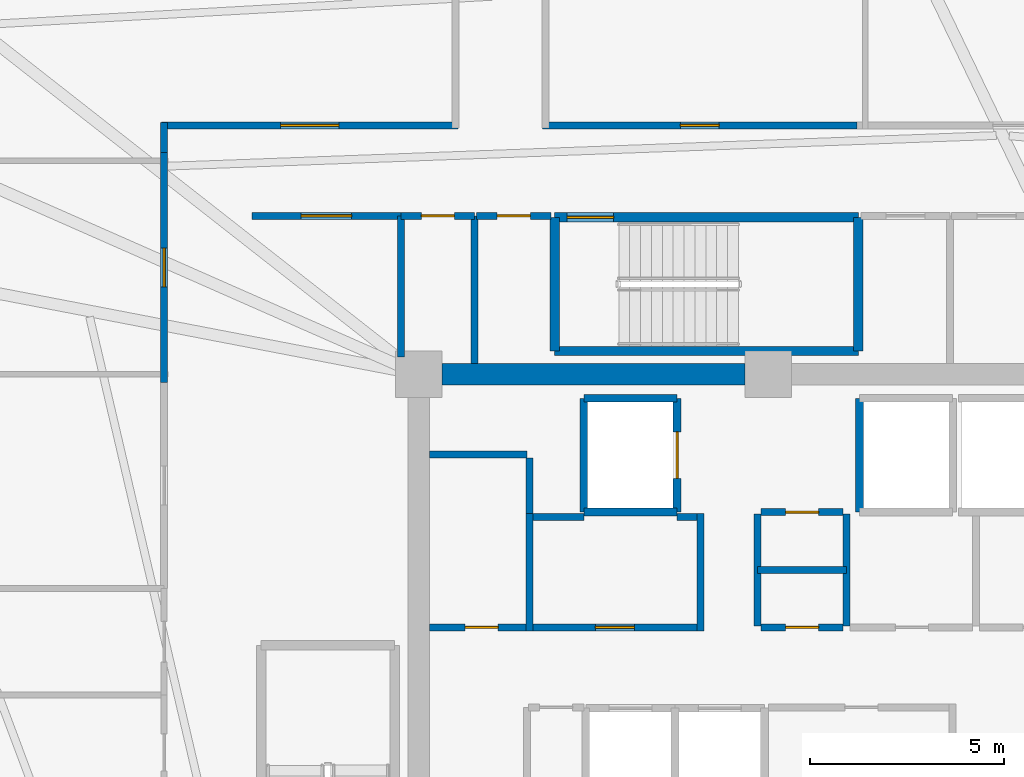
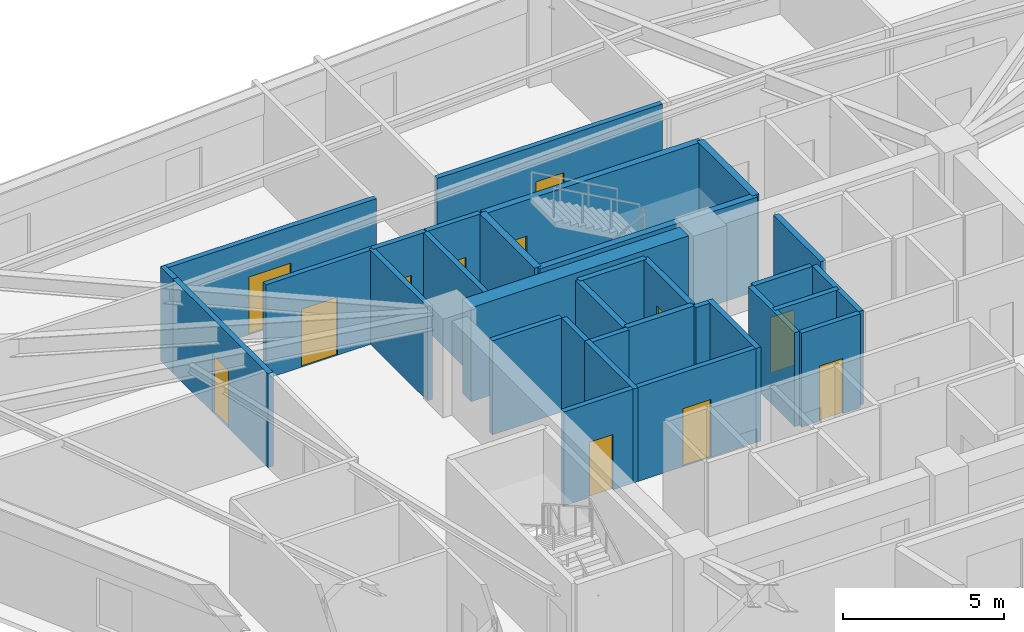
# One storey, part 5 of 8: 32 walls, 12 doors, 12 openings.
"""IFC4 building model written with IfcOpenShell, lengths in metres."""

from ifc_helpers import new_model, si_unit, direction, frame, frame_2d, origin, place, context, subcontext, project, spatial, rectangle, extrude, source, transform, mapped, material, layer, layer_set, type_object, element, fill, save


model = new_model("IFC4")

# Units and contexts
model_context = context("Model", 3, precision=1e-05, world=origin(), true_north=direction((0.0, 1.0)))
body_context = subcontext(model_context, "Body", "Model", "MODEL_VIEW")
ifc_project = project(units=[si_unit("LENGTHUNIT", "METRE"), si_unit("AREAUNIT", "SQUARE_METRE"), si_unit("VOLUMEUNIT", "CUBIC_METRE"), si_unit("PLANEANGLEUNIT", "RADIAN"), si_unit("MASSUNIT", "GRAM", prefix="KILO")], contexts=[model_context])

# Site, building, storey
site_placement = place(None, origin())
site = spatial("IfcSite", under=ifc_project, at=site_placement, CompositionType="ELEMENT")
building_placement = place(site_placement, origin())
building = spatial("IfcBuilding", under=site, at=building_placement, Name="Liaohun Quay Tower", CompositionType="ELEMENT")
storey_placement = place(building_placement, frame((0.0, 0.0, 332.25)))
storey = spatial("IfcBuildingStorey", under=building, at=storey_placement, Name="L86", CompositionType="ELEMENT", Elevation=332.25)

# Wall
ifc_material_1 = material(Name="Concrete C50", Category="concrete")
ifc_layer_1 = layer(ifc_material_1, 0.550048828125, Name="Concrete C50", Category="concrete")
ifc_layer_set_1 = layer_set([ifc_layer_1], Name="Concrete C50")
wall_type_1 = type_object("IfcWallType", Name="WAL-COR-Z4", PredefinedType="SHEAR", material=ifc_layer_set_1)
wall_1_placement = place(storey_placement, frame((51.60009765625, 61.5, 0.0), z_axis=(0.0, 0.0, 1.0), x_axis=(1.0, 0.0, 0.0)))
element("IfcWall", 1, at=wall_1_placement, inside=storey, type_object=wall_type_1, Name="L86 Central Core Shear Wall N-W", PredefinedType="SHEAR", context=body_context, shape_type="SweptSolid", body=[
    extrude(rectangle(XDim=7.7998046875, YDim=0.550048828125, at=frame_2d((3.89990234375, 0.0))), origin(), (0.0, 0.0, 1.0), 3.570068359375),
])

# Wall, opening, door
ifc_material_2 = material(Name="Autoclaved aerated concrete blockwork", Category="masonry")
ifc_layer_2 = layer(ifc_material_2, 0.179931640625, Name="Autoclaved aerated concrete blockwork", Category="masonry")
ifc_layer_set_2 = layer_set([ifc_layer_2], Name="Autoclaved aerated concrete blockwork")
wall_type_2 = type_object("IfcWallType", Name="WAL-PRT-COR", PredefinedType="PARTITIONING", material=ifc_layer_set_2)
wall_2_placement = place(storey_placement, frame((53.93994140625, 54.97998046875, 0.0), z_axis=(0.0, 0.0, 1.0), x_axis=(1.0, 0.0, 0.0)))
wall_2 = element("IfcWall", 2, at=wall_2_placement, inside=storey, type_object=wall_type_2, Name="L86 Interior Partition Wall 002", PredefinedType="PARTITIONING", context=body_context, shape_type="SweptSolid", body=[
    extrude(rectangle(XDim=4.219970703125, YDim=0.179931640625, at=frame_2d((2.10986328125, 0.0))), origin(), (0.0, 0.0, 1.0), 3.570068359375),
])
shared_shape_1 = source(origin(), body_context, "Body", "SweptSolid", [
    extrude(rectangle(XDim=1.0, YDim=2.199951171875, at=frame_2d((0.5, 1.10009765625))), frame((0.0, 0.099853515625, 0.0), z_axis=(0.0, -1.0, 0.0), x_axis=(1.0, 0.0, 0.0)), (0.0, 0.0, 1.0), 0.199951171875),
])
opening_1_placement = place(wall_2_placement, frame((1.610107421875, 0.0, 0.0)))
opening_1 = element("IfcOpeningElement", 3, at=opening_1_placement, cuts=wall_2, Name="Opening OD1", PredefinedType="OPENING", context=body_context, shape_type="MappedRepresentation", body=[
    mapped(shared_shape_1, transform((0.0, 0.0, 0.0), x_axis=(1.0, 0.0, 0.0), y_axis=(0.0, 1.0, 0.0), z_axis=(0.0, 0.0, 1.0), scale=1.0)),
])
ifc_material_3 = material(Name="Solid-core oak veneer timber leaf in steel frame", Category="steel")
door_type_1 = type_object("IfcDoorType", Name="DOR-OFF-1000", OperationType="NOTDEFINED", PredefinedType="DOOR", material=ifc_material_3)
shared_shape_2 = source(origin(), body_context, "Body", "SweptSolid", [
    extrude(rectangle(XDim=1.0, YDim=2.199951171875, at=frame_2d((0.5, 1.10009765625))), frame((0.0, 0.02490234375, 0.0), z_axis=(0.0, -1.0, 0.0), x_axis=(1.0, 0.0, 0.0)), (0.0, 0.0, 1.0), 0.050048828125),
])
door_1_placement = place(opening_1_placement, origin())
door_1 = element("IfcDoor", 4, at=door_1_placement, inside=storey, type_object=door_type_1, Name="L86 Core Staff Pantry and Tea Room Door", OperationType="SINGLE_SWING_LEFT", OverallHeight=2.199951171875, OverallWidth=1.0, PredefinedType="DOOR", context=body_context, shape_type="MappedRepresentation", body=[
    mapped(shared_shape_2, transform((0.0, 0.0, 0.0), x_axis=(1.0, 0.0, 0.0), y_axis=(0.0, 1.0, 0.0), z_axis=(0.0, 0.0, 1.0), scale=1.0)),
])
fill(opening_1, door_1)

wall_3_placement = place(storey_placement, frame((51.27490234375, 54.97998046875, 0.0), z_axis=(0.0, 0.0, 1.0), x_axis=(1.0, 0.0, 0.0)))
wall_3 = element("IfcWall", 5, at=wall_3_placement, inside=storey, type_object=wall_type_2, Name="L86 Interior Partition Wall 003", PredefinedType="PARTITIONING", context=body_context, shape_type="SweptSolid", body=[
    extrude(rectangle(XDim=2.485107421875, YDim=0.179931640625, at=frame_2d((1.24267578125, 0.0))), origin(), (0.0, 0.0, 1.0), 3.570068359375),
])
shared_shape_3 = source(origin(), body_context, "Body", "SweptSolid", [
    extrude(rectangle(XDim=0.85009765625, YDim=2.10009765625, at=frame_2d((0.425048828125, 1.050048828125))), frame((0.0, 0.099853515625, 0.0), z_axis=(0.0, -1.0, 0.0), x_axis=(1.0, 0.0, 0.0)), (0.0, 0.0, 1.0), 0.199951171875),
])
opening_2_placement = place(wall_3_placement, frame((0.9150390625, 0.0, 0.0)))
opening_2 = element("IfcOpeningElement", 6, at=opening_2_placement, cuts=wall_3, Name="Opening AD1", PredefinedType="OPENING", context=body_context, shape_type="MappedRepresentation", body=[
    mapped(shared_shape_3, transform((0.0, 0.0, 0.0), x_axis=(1.0, 0.0, 0.0), y_axis=(0.0, 1.0, 0.0), z_axis=(0.0, 0.0, 1.0), scale=1.0)),
])
ifc_material_4 = material(Name="Steel riser inspection fire door", Category="steel")
door_type_2 = type_object("IfcDoorType", Name="DOR-SHF-850", OperationType="NOTDEFINED", PredefinedType="DOOR", material=ifc_material_4)
shared_shape_4 = source(origin(), body_context, "Body", "SweptSolid", [
    extrude(rectangle(XDim=0.85009765625, YDim=2.10009765625, at=frame_2d((0.425048828125, 1.050048828125))), frame((0.0, 0.02490234375, 0.0), z_axis=(0.0, -1.0, 0.0), x_axis=(1.0, 0.0, 0.0)), (0.0, 0.0, 1.0), 0.050048828125),
])
door_2_placement = place(opening_2_placement, origin())
door_2 = element("IfcDoor", 7, at=door_2_placement, inside=storey, type_object=door_type_2, Name="L86 Core High-Zone Archive and Riser Store Door", OperationType="SINGLE_SWING_RIGHT", OverallHeight=2.10009765625, OverallWidth=0.85009765625, PredefinedType="DOOR", context=body_context, shape_type="MappedRepresentation", body=[
    mapped(shared_shape_4, transform((0.0, 0.0, 0.0), x_axis=(1.0, 0.0, 0.0), y_axis=(0.0, 1.0, 0.0), z_axis=(0.0, 0.0, 1.0), scale=1.0)),
])
fill(opening_2, door_2)

wall_4_placement = place(storey_placement, frame((59.81005859375, 54.97998046875, 0.0), z_axis=(0.0, 0.0, 1.0), x_axis=(1.0, 0.0, 0.0)))
wall_4 = element("IfcWall", 8, at=wall_4_placement, inside=storey, type_object=wall_type_2, Name="L86 Interior Partition Wall 006", PredefinedType="PARTITIONING", context=body_context, shape_type="SweptSolid", body=[
    extrude(rectangle(XDim=2.10986328125, YDim=0.179931640625, at=frame_2d((1.054931640625, 0.0))), origin(), (0.0, 0.0, 1.0), 3.570068359375),
])
opening_3_placement = place(wall_4_placement, frame((0.635009765625, 0.0, 0.0)))
opening_3 = element("IfcOpeningElement", 9, at=opening_3_placement, cuts=wall_4, Name="Opening AD1", PredefinedType="OPENING", context=body_context, shape_type="MappedRepresentation", body=[
    mapped(shared_shape_3, transform((0.0, 0.0, 0.0), x_axis=(1.0, 0.0, 0.0), y_axis=(0.0, 1.0, 0.0), z_axis=(0.0, 0.0, 1.0), scale=1.0)),
])
door_3_placement = place(opening_3_placement, origin())
door_3 = element("IfcDoor", 10, at=door_3_placement, inside=storey, type_object=door_type_2, Name="L86 Electrical Riser Room Door", OperationType="SINGLE_SWING_LEFT", OverallHeight=2.10009765625, OverallWidth=0.85009765625, PredefinedType="DOOR", context=body_context, shape_type="MappedRepresentation", body=[
    mapped(shared_shape_4, transform((0.0, 0.0, 0.0), x_axis=(1.0, 0.0, 0.0), y_axis=(0.0, 1.0, 0.0), z_axis=(0.0, 0.0, 1.0), scale=1.0)),
])
fill(opening_3, door_3)

wall_5_placement = place(storey_placement, frame((59.81005859375, 57.949951171875, 0.0), z_axis=(0.0, 0.0, 1.0), x_axis=(1.0, 0.0, 0.0)))
wall_5 = element("IfcWall", 11, at=wall_5_placement, inside=storey, type_object=wall_type_2, Name="L86 Interior Partition Wall 007", PredefinedType="PARTITIONING", context=body_context, shape_type="SweptSolid", body=[
    extrude(rectangle(XDim=2.10986328125, YDim=0.179931640625, at=frame_2d((1.054931640625, 0.0))), origin(), (0.0, 0.0, 1.0), 3.570068359375),
])
opening_4_placement = place(wall_5_placement, frame((0.635009765625, 0.0, 0.0)))
opening_4 = element("IfcOpeningElement", 12, at=opening_4_placement, cuts=wall_5, Name="Opening AD1", PredefinedType="OPENING", context=body_context, shape_type="MappedRepresentation", body=[
    mapped(shared_shape_3, transform((0.0, 0.0, 0.0), x_axis=(1.0, 0.0, 0.0), y_axis=(0.0, 1.0, 0.0), z_axis=(0.0, 0.0, 1.0), scale=1.0)),
])
door_4_placement = place(opening_4_placement, origin())
door_4 = element("IfcDoor", 13, at=door_4_placement, inside=storey, type_object=door_type_2, Name="L86 Telecom Comms Closet Door", OperationType="SINGLE_SWING_RIGHT", OverallHeight=2.10009765625, OverallWidth=0.85009765625, PredefinedType="DOOR", context=body_context, shape_type="MappedRepresentation", body=[
    mapped(shared_shape_4, transform((0.0, 0.0, 0.0), x_axis=(1.0, 0.0, 0.0), y_axis=(0.0, 1.0, 0.0), z_axis=(0.0, 0.0, 1.0), scale=1.0)),
])
fill(opening_4, door_4)

wall_6_placement = place(storey_placement, frame((50.5400390625, 65.580078125, 0.0), z_axis=(0.0, 0.0, 1.0), x_axis=(1.0, 0.0, 0.0)))
wall_6 = element("IfcWall", 14, at=wall_6_placement, inside=storey, type_object=wall_type_2, Name="L86 Interior Partition Wall 012", PredefinedType="PARTITIONING", context=body_context, shape_type="SweptSolid", body=[
    extrude(rectangle(XDim=1.89990234375, YDim=0.179931640625, at=frame_2d((0.949951171875, 0.0))), origin(), (0.0, 0.0, 1.0), 3.570068359375),
])
opening_5_placement = place(wall_6_placement, frame((0.52490234375, 0.0, 0.0)))
opening_5 = element("IfcOpeningElement", 15, at=opening_5_placement, cuts=wall_6, Name="Opening AD1", PredefinedType="OPENING", context=body_context, shape_type="MappedRepresentation", body=[
    mapped(shared_shape_3, transform((0.0, 0.0, 0.0), x_axis=(1.0, 0.0, 0.0), y_axis=(0.0, 1.0, 0.0), z_axis=(0.0, 0.0, 1.0), scale=1.0)),
])
door_5_placement = place(opening_5_placement, origin())
door_5 = element("IfcDoor", 16, at=door_5_placement, inside=storey, type_object=door_type_2, Name="L86 North-West Riser Closet Door", OperationType="SINGLE_SWING_LEFT", OverallHeight=2.10009765625, OverallWidth=0.85009765625, PredefinedType="DOOR", context=body_context, shape_type="MappedRepresentation", body=[
    mapped(shared_shape_4, transform((0.0, 0.0, 0.0), x_axis=(1.0, 0.0, 0.0), y_axis=(0.0, 1.0, 0.0), z_axis=(0.0, 0.0, 1.0), scale=1.0)),
])
fill(opening_5, door_5)

wall_7_placement = place(storey_placement, frame((52.47998046875, 65.580078125, 0.0), z_axis=(0.0, 0.0, 1.0), x_axis=(1.0, 0.0, 0.0)))
wall_7 = element("IfcWall", 17, at=wall_7_placement, inside=storey, type_object=wall_type_2, Name="L86 Interior Partition Wall 013", PredefinedType="PARTITIONING", context=body_context, shape_type="SweptSolid", body=[
    extrude(rectangle(XDim=1.929931640625, YDim=0.179931640625, at=frame_2d((0.96484375, 0.0))), origin(), (0.0, 0.0, 1.0), 3.570068359375),
])
opening_6_placement = place(wall_7_placement, frame((0.5400390625, 0.0, 0.0)))
opening_6 = element("IfcOpeningElement", 18, at=opening_6_placement, cuts=wall_7, Name="Opening AD1", PredefinedType="OPENING", context=body_context, shape_type="MappedRepresentation", body=[
    mapped(shared_shape_3, transform((0.0, 0.0, 0.0), x_axis=(1.0, 0.0, 0.0), y_axis=(0.0, 1.0, 0.0), z_axis=(0.0, 0.0, 1.0), scale=1.0)),
])
door_6_placement = place(opening_6_placement, origin())
door_6 = element("IfcDoor", 19, at=door_6_placement, inside=storey, type_object=door_type_2, Name="L86 North-West Print Closet Door", OperationType="SINGLE_SWING_RIGHT", OverallHeight=2.10009765625, OverallWidth=0.85009765625, PredefinedType="DOOR", context=body_context, shape_type="MappedRepresentation", body=[
    mapped(shared_shape_4, transform((0.0, 0.0, 0.0), x_axis=(1.0, 0.0, 0.0), y_axis=(0.0, 1.0, 0.0), z_axis=(0.0, 0.0, 1.0), scale=1.0)),
])
fill(opening_6, door_6)

wall_8_placement = place(storey_placement, frame((46.699951171875, 65.580078125, 0.0), z_axis=(0.0, 0.0, 1.0), x_axis=(1.0, 0.0, 0.0)))
wall_8 = element("IfcWall", 20, at=wall_8_placement, inside=storey, type_object=wall_type_2, Name="L86 Interior Partition Wall 017", PredefinedType="PARTITIONING", context=body_context, shape_type="SweptSolid", body=[
    extrude(rectangle(XDim=3.840087890625, YDim=0.179931640625, at=frame_2d((1.919921875, 0.0))), origin(), (0.0, 0.0, 1.0), 3.570068359375),
])
shared_shape_5 = source(origin(), body_context, "Body", "SweptSolid", [
    extrude(rectangle(XDim=1.300048828125, YDim=2.199951171875, at=frame_2d((0.64990234375, 1.10009765625))), frame((0.0, 0.099853515625, 0.0), z_axis=(0.0, -1.0, 0.0), x_axis=(1.0, 0.0, 0.0)), (0.0, 0.0, 1.0), 0.199951171875),
])
opening_7_placement = place(wall_8_placement, frame((1.27001953125, 0.0, 0.0)))
opening_7 = element("IfcOpeningElement", 21, at=opening_7_placement, cuts=wall_8, Name="Opening FD1", PredefinedType="OPENING", context=body_context, shape_type="MappedRepresentation", body=[
    mapped(shared_shape_5, transform((0.0, 0.0, 0.0), x_axis=(1.0, 0.0, 0.0), y_axis=(0.0, 1.0, 0.0), z_axis=(0.0, 0.0, 1.0), scale=1.0)),
])
ifc_material_5 = material(Name="Galvanised steel smokeproof fire door", Category="steel")
door_type_3 = type_object("IfcDoorType", Name="DOR-FFL-1300", OperationType="NOTDEFINED", PredefinedType="DOOR", material=ifc_material_5)
shared_shape_6 = source(origin(), body_context, "Body", "SweptSolid", [
    extrude(rectangle(XDim=1.300048828125, YDim=2.199951171875, at=frame_2d((0.64990234375, 1.10009765625))), frame((0.0, 0.02490234375, 0.0), z_axis=(0.0, -1.0, 0.0), x_axis=(1.0, 0.0, 0.0)), (0.0, 0.0, 1.0), 0.050048828125),
])
door_7_placement = place(opening_7_placement, origin())
door_7 = element("IfcDoor", 22, at=door_7_placement, inside=storey, type_object=door_type_3, Name="L86 West Core Vestibule Door", OperationType="SINGLE_SWING_RIGHT", OverallHeight=2.199951171875, OverallWidth=1.300048828125, PredefinedType="DOOR", context=body_context, shape_type="MappedRepresentation", body=[
    mapped(shared_shape_6, transform((0.0, 0.0, 0.0), x_axis=(1.0, 0.0, 0.0), y_axis=(0.0, 1.0, 0.0), z_axis=(0.0, 0.0, 1.0), scale=1.0)),
])
fill(opening_7, door_7)

wall_9_placement = place(storey_placement, frame((54.18994140625, 67.909912109375, 0.0), z_axis=(0.0, 0.0, 1.0), x_axis=(1.0, 0.0, 0.0)))
wall_9 = element("IfcWall", 23, at=wall_9_placement, inside=storey, type_object=wall_type_2, Name="L86 Interior Partition Wall 022", PredefinedType="PARTITIONING", context=body_context, shape_type="SweptSolid", body=[
    extrude(rectangle(XDim=8.094970703125, YDim=0.179931640625, at=frame_2d((4.04736328125, 0.0))), origin(), (0.0, 0.0, 1.0), 3.570068359375),
])
opening_8_placement = place(wall_9_placement, frame((3.547119140625, 0.0, 0.0)))
opening_8 = element("IfcOpeningElement", 24, at=opening_8_placement, cuts=wall_9, Name="Opening OD1", PredefinedType="OPENING", context=body_context, shape_type="MappedRepresentation", body=[
    mapped(shared_shape_1, transform((0.0, 0.0, 0.0), x_axis=(1.0, 0.0, 0.0), y_axis=(0.0, 1.0, 0.0), z_axis=(0.0, 0.0, 1.0), scale=1.0)),
])
door_8_placement = place(opening_8_placement, origin())
door_8 = element("IfcDoor", 25, at=door_8_placement, inside=storey, type_object=door_type_1, Name="L86 Project Collaboration Studio 04 Door", OperationType="SINGLE_SWING_LEFT", OverallHeight=2.199951171875, OverallWidth=1.0, PredefinedType="DOOR", context=body_context, shape_type="MappedRepresentation", body=[
    mapped(shared_shape_2, transform((0.0, 0.0, 0.0), x_axis=(1.0, 0.0, 0.0), y_axis=(0.0, 1.0, 0.0), z_axis=(0.0, 0.0, 1.0), scale=1.0)),
])
fill(opening_8, door_8)

wall_10_placement = place(storey_placement, frame((44.3701171875, 67.909912109375, 0.0), z_axis=(0.0, 0.0, 1.0), x_axis=(1.0, 0.0, 0.0)))
wall_10 = element("IfcWall", 26, at=wall_10_placement, inside=storey, type_object=wall_type_2, Name="L86 Interior Partition Wall 023", PredefinedType="PARTITIONING", context=body_context, shape_type="SweptSolid", body=[
    extrude(rectangle(XDim=7.639892578125, YDim=0.179931640625, at=frame_2d((3.81982421875, 0.0))), origin(), (0.0, 0.0, 1.0), 3.570068359375),
])
shared_shape_7 = source(origin(), body_context, "Body", "SweptSolid", [
    extrude(rectangle(XDim=1.5, YDim=2.199951171875, at=frame_2d((0.75, 1.10009765625))), frame((0.0, 0.099853515625, 0.0), z_axis=(0.0, -1.0, 0.0), x_axis=(1.0, 0.0, 0.0)), (0.0, 0.0, 1.0), 0.199951171875),
])
opening_9_placement = place(wall_10_placement, frame((3.070068359375, 0.0, 0.0)))
opening_9 = element("IfcOpeningElement", 27, at=opening_9_placement, cuts=wall_10, Name="Opening OD2", PredefinedType="OPENING", context=body_context, shape_type="MappedRepresentation", body=[
    mapped(shared_shape_7, transform((0.0, 0.0, 0.0), x_axis=(1.0, 0.0, 0.0), y_axis=(0.0, 1.0, 0.0), z_axis=(0.0, 0.0, 1.0), scale=1.0)),
])
ifc_material_6 = material(Name="Acoustic oak veneer double door")
door_type_4 = type_object("IfcDoorType", Name="DOR-OFF-1500", OperationType="DOUBLE_DOOR_SINGLE_SWING", PredefinedType="DOOR", material=ifc_material_6)
shared_shape_8 = source(origin(), body_context, "Body", "SweptSolid", [
    extrude(rectangle(XDim=1.5, YDim=2.199951171875, at=frame_2d((0.75, 1.10009765625))), frame((0.0, 0.02490234375, 0.0), z_axis=(0.0, -1.0, 0.0), x_axis=(1.0, 0.0, 0.0)), (0.0, 0.0, 1.0), 0.050048828125),
])
door_9_placement = place(opening_9_placement, origin())
door_9 = element("IfcDoor", 28, at=door_9_placement, inside=storey, type_object=door_type_4, Name="L86 Corporate Exhibition Gallery 05 Door", OperationType="DOUBLE_DOOR_SINGLE_SWING", OverallHeight=2.199951171875, OverallWidth=1.5, PredefinedType="DOOR", context=body_context, shape_type="MappedRepresentation", body=[
    mapped(shared_shape_8, transform((0.0, 0.0, 0.0), x_axis=(1.0, 0.0, 0.0), y_axis=(0.0, 1.0, 0.0), z_axis=(0.0, 0.0, 1.0), scale=1.0)),
])
fill(opening_9, door_9)

wall_11_placement = place(storey_placement, frame((44.43994140625, 61.284912109375, 0.0), z_axis=(0.0, 0.0, 1.0), x_axis=(0.0, 1.0, 0.0)))
wall_11 = element("IfcWall", 29, at=wall_11_placement, inside=storey, type_object=wall_type_2, Name="L86 Interior Partition Wall 024", PredefinedType="PARTITIONING", context=body_context, shape_type="SweptSolid", body=[
    extrude(rectangle(XDim=5.93017578125, YDim=0.179931640625, at=frame_2d((2.965087890625, 0.0))), origin(), (0.0, 0.0, 1.0), 3.570068359375),
])
opening_10_placement = place(wall_11_placement, frame((2.465087890625, 0.0, 0.0)))
opening_10 = element("IfcOpeningElement", 30, at=opening_10_placement, cuts=wall_11, Name="Opening OD1", PredefinedType="OPENING", context=body_context, shape_type="MappedRepresentation", body=[
    mapped(shared_shape_1, transform((0.0, 0.0, 0.0), x_axis=(1.0, 0.0, 0.0), y_axis=(0.0, 1.0, 0.0), z_axis=(0.0, 0.0, 1.0), scale=1.0)),
])
door_10_placement = place(opening_10_placement, origin())
door_10 = element("IfcDoor", 31, at=door_10_placement, inside=storey, type_object=door_type_1, Name="L86 Staff Tea Kitchen and Pantry 06 Door", OperationType="SINGLE_SWING_LEFT", OverallHeight=2.199951171875, OverallWidth=1.0, PredefinedType="DOOR", context=body_context, shape_type="MappedRepresentation", body=[
    mapped(shared_shape_2, transform((0.0, 0.0, 0.0), x_axis=(1.0, 0.0, 0.0), y_axis=(0.0, 1.0, 0.0), z_axis=(0.0, 0.0, 1.0), scale=1.0)),
])
fill(opening_10, door_10)

# Walls
wall_12_placement = place(storey_placement, frame((51.27490234375, 59.429931640625, 0.0), z_axis=(0.0, 0.0, 1.0), x_axis=(1.0, 0.0, 0.0)))
element("IfcWall", 32, at=wall_12_placement, inside=storey, type_object=wall_type_2, Name="L86 Interior Partition Wall 028", PredefinedType="PARTITIONING", context=body_context, shape_type="SweptSolid", body=[
    extrude(rectangle(XDim=2.505126953125, YDim=0.179931640625, at=frame_2d((1.25244140625, 0.0))), origin(), (0.0, 0.0, 1.0), 3.570068359375),
])
for number, where, z_axis, x_axis, name in (
    (33, (59.719970703125, 55.02001953125, 0.0), (0.0, 0.0, 1.0), (0.0, 1.0, 0.0), "L86 Interior Partition Wall 030"),
    (34, (62.010009765625, 55.02001953125, 0.0), (0.0, 0.0, 1.0), (0.0, 1.0, 0.0), "L86 Interior Partition Wall 031"),
):
    element("IfcWall", number, at=place(storey_placement, frame(where, z_axis=z_axis, x_axis=x_axis)), inside=storey, type_object=wall_type_2, Name=name, PredefinedType="PARTITIONING", context=body_context, shape_type="SweptSolid", body=[
        extrude(rectangle(XDim=2.8798828125, YDim=0.179931640625, at=frame_2d((1.43994140625, 0.0))), origin(), (0.0, 0.0, 1.0), 3.570068359375),
    ])
wall_13_placement = place(storey_placement, frame((59.719970703125, 56.4599609375, 0.0), z_axis=(0.0, 0.0, 1.0), x_axis=(1.0, 0.0, 0.0)))
element("IfcWall", 35, at=wall_13_placement, inside=storey, type_object=wall_type_2, Name="L86 Interior Partition Wall 032", PredefinedType="PARTITIONING", context=body_context, shape_type="SweptSolid", body=[
    extrude(rectangle(XDim=2.2900390625, YDim=0.179931640625, at=frame_2d((1.14501953125, 0.0))), origin(), (0.0, 0.0, 1.0), 3.570068359375),
])
wall_14_placement = place(storey_placement, frame((50.5400390625, 61.949951171875, 0.0), z_axis=(0.0, 0.0, 1.0), x_axis=(0.0, 1.0, 0.0)))
element("IfcWall", 36, at=wall_14_placement, inside=storey, type_object=wall_type_2, Name="L86 Interior Partition Wall 040", PredefinedType="PARTITIONING", context=body_context, shape_type="SweptSolid", body=[
    extrude(rectangle(XDim=3.630126953125, YDim=0.179931640625, at=frame_2d((1.81494140625, 0.0))), origin(), (0.0, 0.0, 1.0), 3.570068359375),
])
wall_15_placement = place(storey_placement, frame((52.43994140625, 61.77490234375, 0.0), z_axis=(0.0, 0.0, 1.0), x_axis=(0.0, 1.0, 0.0)))
element("IfcWall", 37, at=wall_15_placement, inside=storey, type_object=wall_type_2, Name="L86 Interior Partition Wall 041", PredefinedType="PARTITIONING", context=body_context, shape_type="SweptSolid", body=[
    extrude(rectangle(XDim=3.80517578125, YDim=0.179931640625, at=frame_2d((1.902587890625, 0.0))), origin(), (0.0, 0.0, 1.0), 3.570068359375),
])
wall_16_placement = place(storey_placement, frame((44.43994140625, 67.215087890625, 0.0), z_axis=(0.0, 0.0, 1.0), x_axis=(0.0, 1.0, 0.0)))
element("IfcWall", 38, at=wall_16_placement, inside=storey, type_object=wall_type_2, Name="L86 Interior Partition Wall 049", PredefinedType="PARTITIONING", context=body_context, shape_type="SweptSolid", body=[
    extrude(rectangle(XDim=0.764892578125, YDim=0.179931640625, at=frame_2d((0.38232421875, 0.0))), origin(), (0.0, 0.0, 1.0), 3.570068359375),
])
for number, where, z_axis, x_axis, name in (
    (39, (53.85009765625, 54.889892578125, 0.0), (0.0, 0.0, 1.0), (0.0, 1.0, 0.0), "L86 Interior Partition Wall 063"),
    (40, (58.25, 54.889892578125, 0.0), (0.0, 0.0, 1.0), (0.0, 1.0, 0.0), "L86 Interior Partition Wall 064"),
):
    element("IfcWall", number, at=place(storey_placement, frame(where, z_axis=z_axis, x_axis=x_axis)), inside=storey, type_object=wall_type_2, Name=name, PredefinedType="PARTITIONING", context=body_context, shape_type="SweptSolid", body=[
        extrude(rectangle(XDim=3.02001953125, YDim=0.179931640625, at=frame_2d((1.510009765625, 0.0))), origin(), (0.0, 0.0, 1.0), 3.570068359375),
    ])
wall_17_placement = place(storey_placement, frame((53.93994140625, 57.820068359375, 0.0), z_axis=(0.0, 0.0, 1.0), x_axis=(1.0, 0.0, 0.0)))
element("IfcWall", 41, at=wall_17_placement, inside=storey, type_object=wall_type_2, Name="L86 Interior Partition Wall 065", PredefinedType="PARTITIONING", context=body_context, shape_type="SweptSolid", body=[
    extrude(rectangle(XDim=1.31005859375, YDim=0.179931640625, at=frame_2d((0.655029296875, 0.0))), origin(), (0.0, 0.0, 1.0), 3.570068359375),
])
wall_18_placement = place(storey_placement, frame((57.64990234375, 57.820068359375, 0.0), z_axis=(0.0, 0.0, 1.0), x_axis=(1.0, 0.0, 0.0)))
element("IfcWall", 42, at=wall_18_placement, inside=storey, type_object=wall_type_2, Name="L86 Interior Partition Wall 066", PredefinedType="PARTITIONING", context=body_context, shape_type="SweptSolid", body=[
    extrude(rectangle(XDim=0.510009765625, YDim=0.179931640625, at=frame_2d((0.2548828125, 0.0))), origin(), (0.0, 0.0, 1.0), 3.570068359375),
])
wall_19_placement = place(storey_placement, frame((53.85009765625, 57.909912109375, 0.0), z_axis=(0.0, 0.0, 1.0), x_axis=(0.0, 1.0, 0.0)))
element("IfcWall", 43, at=wall_19_placement, inside=storey, type_object=wall_type_2, Name="L86 Interior Partition Wall 067", PredefinedType="PARTITIONING", context=body_context, shape_type="SweptSolid", body=[
    extrude(rectangle(XDim=1.43017578125, YDim=0.179931640625, at=frame_2d((0.715087890625, 0.0))), origin(), (0.0, 0.0, 1.0), 3.570068359375),
])
ifc_layer_3 = layer(ifc_material_1, 0.239990234375, Name="Concrete C50", Category="concrete")
ifc_layer_set_3 = layer_set([ifc_layer_3], Name="Concrete C50")
wall_type_3 = type_object("IfcWallType", Name="WAL-SHF-200", PredefinedType="SOLIDWALL", material=ifc_layer_set_3)
wall_20_placement = place(storey_placement, frame((54.5, 62.10009765625, 0.0), z_axis=(0.0, 0.0, 1.0), x_axis=(1.0, 0.0, 0.0)))
element("IfcWall", 44, at=wall_20_placement, inside=storey, type_object=wall_type_3, Name="L86 Stairwell ST-3 Structural Core Wall S", PredefinedType="SOLIDWALL", context=body_context, shape_type="SweptSolid", body=[
    extrude(rectangle(XDim=7.820068359375, YDim=0.239990234375, at=frame_2d((3.91015625, 0.0))), origin(), (0.0, 0.0, 1.0), 3.570068359375),
])
wall_21_placement = place(storey_placement, frame((62.320068359375, 62.10009765625, 0.0), z_axis=(0.0, 0.0, 1.0), x_axis=(0.0, 1.0, 0.0)))
element("IfcWall", 45, at=wall_21_placement, inside=storey, type_object=wall_type_3, Name="L86 Stairwell ST-3 Structural Core Wall E", PredefinedType="SOLIDWALL", context=body_context, shape_type="SweptSolid", body=[
    extrude(rectangle(XDim=3.43994140625, YDim=0.239990234375, at=frame_2d((1.719970703125, 0.0))), origin(), (0.0, 0.0, 1.0), 3.570068359375),
])

# Wall, opening, door
wall_22_placement = place(storey_placement, frame((62.320068359375, 65.5400390625, 0.0), z_axis=(0.0, 0.0, 1.0), x_axis=(-1.0, 0.0, 0.0)))
wall_22 = element("IfcWall", 46, at=wall_22_placement, inside=storey, type_object=wall_type_3, Name="L86 Stairwell ST-3 Structural Core Wall N", PredefinedType="SOLIDWALL", context=body_context, shape_type="SweptSolid", body=[
    extrude(rectangle(XDim=7.820068359375, YDim=0.239990234375, at=frame_2d((3.91015625, 0.0))), origin(), (0.0, 0.0, 1.0), 3.570068359375),
])
shared_shape_9 = source(origin(), body_context, "Body", "SweptSolid", [
    extrude(rectangle(XDim=1.199951171875, YDim=2.199951171875, at=frame_2d((0.60009765625, 1.10009765625))), frame((0.0, 0.1298828125, 0.0), z_axis=(0.0, -1.0, 0.0), x_axis=(1.0, 0.0, 0.0)), (0.0, 0.0, 1.0), 0.260009765625),
])
opening_11_placement = place(wall_22_placement, frame((6.300048828125, 0.0, 0.0)))
opening_11 = element("IfcOpeningElement", 47, at=opening_11_placement, cuts=wall_22, Name="Opening SD1", PredefinedType="OPENING", context=body_context, shape_type="MappedRepresentation", body=[
    mapped(shared_shape_9, transform((0.0, 0.0, 0.0), x_axis=(1.0, 0.0, 0.0), y_axis=(0.0, 1.0, 0.0), z_axis=(0.0, 0.0, 1.0), scale=1.0)),
])
ifc_material_7 = material(Name="Galvanised steel fire door", Category="steel")
door_type_5 = type_object("IfcDoorType", Name="DOR-STR-1200", OperationType="NOTDEFINED", PredefinedType="DOOR", material=ifc_material_7)
shared_shape_10 = source(origin(), body_context, "Body", "SweptSolid", [
    extrude(rectangle(XDim=1.199951171875, YDim=2.199951171875, at=frame_2d((0.60009765625, 1.10009765625))), frame((0.0, 0.02490234375, 0.0), z_axis=(0.0, -1.0, 0.0), x_axis=(1.0, 0.0, 0.0)), (0.0, 0.0, 1.0), 0.050048828125),
])
door_11_placement = place(opening_11_placement, origin())
door_11 = element("IfcDoor", 48, at=door_11_placement, inside=storey, type_object=door_type_5, Name="L86 Protected Stair ST-3 Fire Door", OperationType="SINGLE_SWING_RIGHT", OverallHeight=2.199951171875, OverallWidth=1.199951171875, PredefinedType="DOOR", context=body_context, shape_type="MappedRepresentation", body=[
    mapped(shared_shape_10, transform((0.0, 0.0, 0.0), x_axis=(1.0, 0.0, 0.0), y_axis=(0.0, 1.0, 0.0), z_axis=(0.0, 0.0, 1.0), scale=1.0)),
])
fill(opening_11, door_11)

# Walls
wall_23_placement = place(storey_placement, frame((54.5, 65.5400390625, 0.0), z_axis=(0.0, 0.0, 1.0), x_axis=(0.0, -1.0, 0.0)))
element("IfcWall", 49, at=wall_23_placement, inside=storey, type_object=wall_type_3, Name="L86 Stairwell ST-3 Structural Core Wall W", PredefinedType="SOLIDWALL", context=body_context, shape_type="SweptSolid", body=[
    extrude(rectangle(XDim=3.43994140625, YDim=0.239990234375, at=frame_2d((1.719970703125, 0.0))), origin(), (0.0, 0.0, 1.0), 3.570068359375),
])
wall_24_placement = place(storey_placement, frame((55.25, 57.949951171875, 0.0), z_axis=(0.0, 0.0, 1.0), x_axis=(1.0, 0.0, 0.0)))
element("IfcWall", 50, at=wall_24_placement, inside=storey, type_object=wall_type_3, Name="L86 Lift FF-03 Hoistway Wall S", PredefinedType="SOLIDWALL", context=body_context, shape_type="SweptSolid", body=[
    extrude(rectangle(XDim=2.39990234375, YDim=0.199951171875, at=frame_2d((1.199951171875, 0.0))), origin(), (0.0, 0.0, 1.0), 3.570068359375),
])

# Wall, opening, door
wall_25_placement = place(storey_placement, frame((57.64990234375, 57.949951171875, 0.0), z_axis=(0.0, 0.0, 1.0), x_axis=(0.0, 1.0, 0.0)))
wall_25 = element("IfcWall", 51, at=wall_25_placement, inside=storey, type_object=wall_type_3, Name="L86 Lift FF-03 Hoistway Wall E", PredefinedType="SOLIDWALL", context=body_context, shape_type="SweptSolid", body=[
    extrude(rectangle(XDim=2.929931640625, YDim=0.199951171875, at=frame_2d((1.46484375, 0.0))), origin(), (0.0, 0.0, 1.0), 3.570068359375),
])
shared_shape_11 = source(origin(), body_context, "Body", "SweptSolid", [
    extrude(rectangle(XDim=1.199951171875, YDim=2.300048828125, at=frame_2d((0.60009765625, 1.14990234375))), frame((0.0, 0.10986328125, 0.0), z_axis=(0.0, -1.0, 0.0), x_axis=(1.0, 0.0, 0.0)), (0.0, 0.0, 1.0), 0.219970703125),
])
opening_12_placement = place(wall_25_placement, frame((0.864990234375, 0.0, 0.0)))
opening_12 = element("IfcOpeningElement", 52, at=opening_12_placement, cuts=wall_25, Name="Opening LD2", PredefinedType="OPENING", context=body_context, shape_type="MappedRepresentation", body=[
    mapped(shared_shape_11, transform((0.0, 0.0, 0.0), x_axis=(1.0, 0.0, 0.0), y_axis=(0.0, 1.0, 0.0), z_axis=(0.0, 0.0, 1.0), scale=1.0)),
])
ifc_material_8 = material(Name="Brushed stainless steel stretcher landing door", Category="steel")
door_type_6 = type_object("IfcDoorType", Name="DOR-LFT-1200", OperationType="SLIDING_TO_LEFT", PredefinedType="DOOR", material=ifc_material_8)
shared_shape_12 = source(origin(), body_context, "Body", "SweptSolid", [
    extrude(rectangle(XDim=1.199951171875, YDim=2.300048828125, at=frame_2d((0.60009765625, 1.14990234375))), frame((0.0, 0.02490234375, 0.0), z_axis=(0.0, -1.0, 0.0), x_axis=(1.0, 0.0, 0.0)), (0.0, 0.0, 1.0), 0.050048828125),
])
door_12_placement = place(opening_12_placement, origin())
door_12 = element("IfcDoor", 53, at=door_12_placement, inside=storey, type_object=door_type_6, Name="L86 Lift FF-03 Sliding Landing Door", OperationType="SLIDING_TO_LEFT", OverallHeight=2.300048828125, OverallWidth=1.199951171875, PredefinedType="DOOR", context=body_context, shape_type="MappedRepresentation", body=[
    mapped(shared_shape_12, transform((0.0, 0.0, 0.0), x_axis=(1.0, 0.0, 0.0), y_axis=(0.0, 1.0, 0.0), z_axis=(0.0, 0.0, 1.0), scale=1.0)),
])
fill(opening_12, door_12)

# Walls
wall_26_placement = place(storey_placement, frame((57.64990234375, 60.8798828125, 0.0), z_axis=(0.0, 0.0, 1.0), x_axis=(-1.0, 0.0, 0.0)))
element("IfcWall", 54, at=wall_26_placement, inside=storey, type_object=wall_type_3, Name="L86 Lift FF-03 Hoistway Wall N", PredefinedType="SOLIDWALL", context=body_context, shape_type="SweptSolid", body=[
    extrude(rectangle(XDim=2.39990234375, YDim=0.199951171875, at=frame_2d((1.199951171875, 0.0))), origin(), (0.0, 0.0, 1.0), 3.570068359375),
])
for number, where, z_axis, x_axis, name in (
    (55, (55.25, 60.8798828125, 0.0), (0.0, 0.0, 1.0), (0.0, -1.0, 0.0), "L86 Lift FF-03 Hoistway Wall W"),
    (56, (62.35009765625, 60.8798828125, 0.0), (0.0, 0.0, 1.0), (0.0, -1.0, 0.0), "L86 Lift OB-01 Hoistway Wall W"),
):
    element("IfcWall", number, at=place(storey_placement, frame(where, z_axis=z_axis, x_axis=x_axis)), inside=storey, type_object=wall_type_3, Name=name, PredefinedType="SOLIDWALL", context=body_context, shape_type="SweptSolid", body=[
        extrude(rectangle(XDim=2.929931640625, YDim=0.199951171875, at=frame_2d((1.46484375, 0.0))), origin(), (0.0, 0.0, 1.0), 3.570068359375),
    ])

save(model, "model.ifc")
